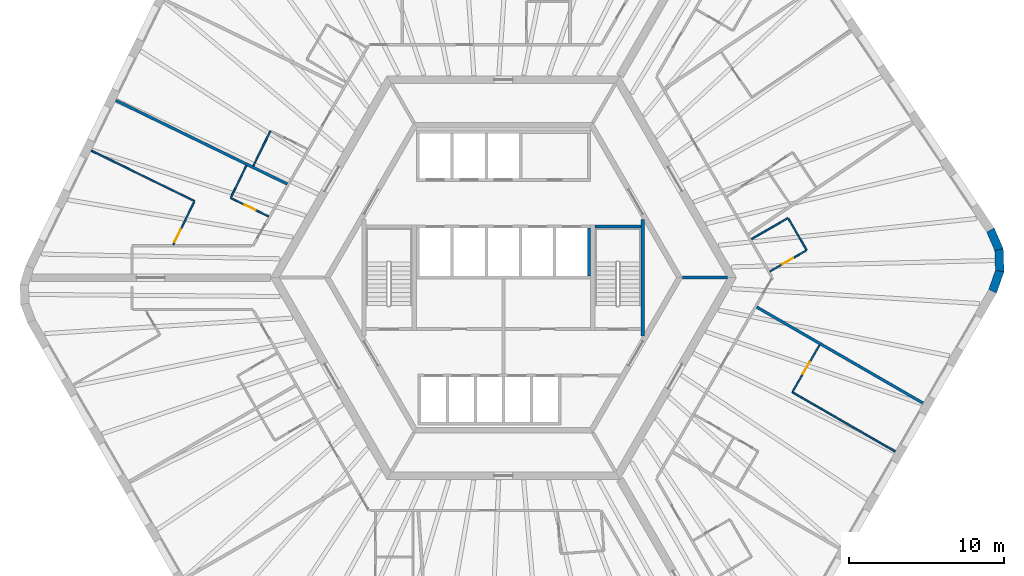
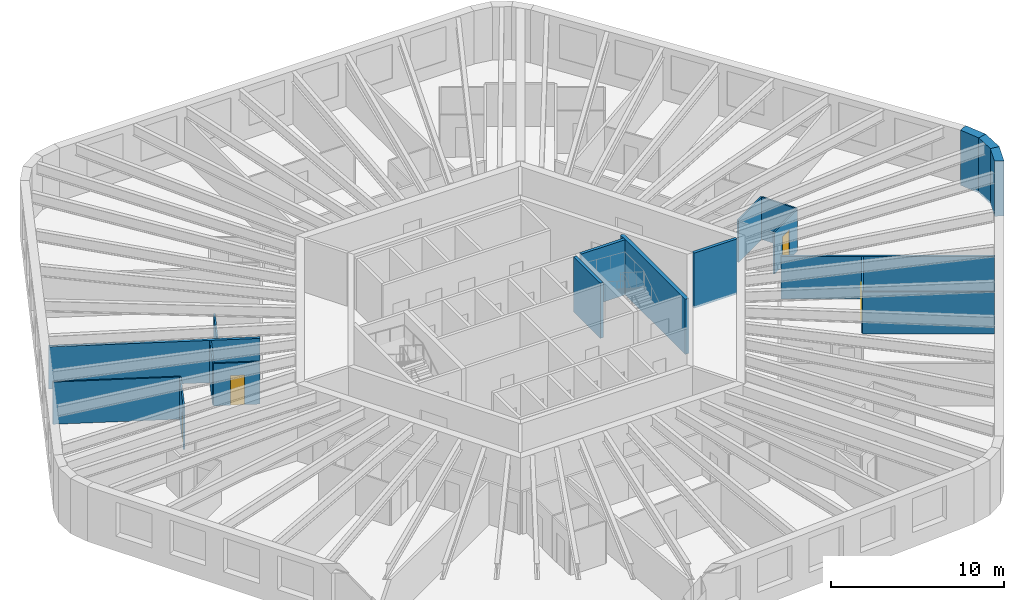
# One storey, part 6 of 10: 19 walls, 4 doors, 4 openings.
"""IFC4 building model written with IfcOpenShell, lengths in metres."""

from ifc_helpers import new_model, si_unit, direction, frame, frame_2d, origin, place, context, subcontext, project, spatial, polyline, rectangle, outline, extrude, material, layer, layer_set, type_object, element, fill, save


model = new_model("IFC4")

# Units and contexts
model_context = context("Model", 3, precision=1e-05, world=origin(), true_north=direction((0.0, 1.0)))
body_context = subcontext(model_context, "Body", "Model", "MODEL_VIEW")
ifc_project = project(units=[si_unit("LENGTHUNIT", "METRE"), si_unit("AREAUNIT", "SQUARE_METRE"), si_unit("VOLUMEUNIT", "CUBIC_METRE"), si_unit("PLANEANGLEUNIT", "RADIAN"), si_unit("MASSUNIT", "GRAM", prefix="KILO")], contexts=[model_context])

# Site, building, storey
site_placement = place(None, origin())
site = spatial("IfcSite", under=ifc_project, at=site_placement, CompositionType="ELEMENT")
building_placement = place(site_placement, origin())
building = spatial("IfcBuilding", under=site, at=building_placement, Name="Tarnside Tower", CompositionType="ELEMENT")
storey_placement = place(building_placement, frame((0.0, 0.0, 191.699951171875)))
storey = spatial("IfcBuildingStorey", under=building, at=storey_placement, Name="L45", CompositionType="ELEMENT", Elevation=191.699951171875)

# Wall
ifc_material_1 = material(Name="Gypsum board partition on steel studs", Category="steel")
ifc_layer_1 = layer(ifc_material_1, 0.10009765625)
ifc_layer_set_1 = layer_set([ifc_layer_1], Name="Bathroom wall 100")
wall_type_1 = type_object("IfcWallType", Name="Bathroom wall 100", PredefinedType="PARTITIONING", material=ifc_layer_set_1)
wall_1_placement = place(storey_placement, frame((-16.107666015625, 7.197509765625, 0.0), z_axis=(0.0, 0.0, 1.0), x_axis=(0.438398718232, 0.898780598284, 0.0)))
element("IfcWall", 1, at=wall_1_placement, inside=storey, type_object=wall_type_1, Name="Bathroom wall 14068", PredefinedType="PARTITIONING", context=body_context, shape_type="SweptSolid", body=[
    extrude(rectangle(XDim=2.510009765625, YDim=0.10009765625, at=frame_2d((1.2548828125, 0.0))), origin(), (0.0, 0.0, 1.0), 2.98779296875),
])

# Wall, opening, door
wall_2_placement = place(storey_placement, frame((-15.127197265625, 3.948974609375, 0.0), z_axis=(0.0, 0.0, 1.0), x_axis=(-0.898788314205, 0.438382899128, 0.0)))
wall_2 = element("IfcWall", 2, at=wall_2_placement, inside=storey, type_object=wall_type_1, Name="Bathroom wall 14073", PredefinedType="PARTITIONING", context=body_context, shape_type="SweptSolid", body=[
    extrude(rectangle(XDim=2.716064453125, YDim=0.10009765625, at=frame_2d((1.35791015625, 0.0))), origin(), (0.0, 0.0, 1.0), 2.98779296875),
])
opening_1_placement = place(wall_2_placement, frame((0.916015625, 0.0, 0.0)))
opening_1 = element("IfcOpeningElement", 3, at=opening_1_placement, cuts=wall_2, Name="Opening D-B1", PredefinedType="OPENING", context=body_context, shape_type="SweptSolid", body=[
    extrude(rectangle(XDim=0.800048828125, YDim=2.10009765625, at=frame_2d((0.39990234375, 1.050048828125))), frame((0.0, 0.06005859375, 0.0), z_axis=(0.0, -1.0, 0.0), x_axis=(1.0, 0.0, 0.0)), (0.0, 0.0, 1.0), 0.1201171875),
])
ifc_material_2 = material(Name="Timber door leaf", Category="wood")
door_type_1 = type_object("IfcDoorType", Name="Bathroom door 800", OperationType="NOTDEFINED", PredefinedType="DOOR", material=ifc_material_2)
door_1_placement = place(opening_1_placement, origin())
door_1 = element("IfcDoor", 4, at=door_1_placement, inside=storey, type_object=door_type_1, Name="Bathroom door 14011", OperationType="SINGLE_SWING_RIGHT", OverallHeight=2.10009765625, OverallWidth=0.800048828125, PredefinedType="DOOR", context=body_context, shape_type="SweptSolid", body=[
    extrude(rectangle(XDim=0.800048828125, YDim=2.10009765625, at=frame_2d((0.39990234375, 1.050048828125))), frame((0.0, 0.02490234375, 0.0), z_axis=(0.0, -1.0, 0.0), x_axis=(1.0, 0.0, 0.0)), (0.0, 0.0, 1.0), 0.050048828125),
])
fill(opening_1, door_1)

# Walls
wall_3_placement = place(storey_placement, frame((-17.54638671875, 5.1845703125, 0.0), z_axis=(0.0, 0.0, 1.0), x_axis=(0.438376807268, 0.898791285477, 0.0)))
element("IfcWall", 5, at=wall_3_placement, inside=storey, type_object=wall_type_1, Name="Bathroom wall 14074", PredefinedType="PARTITIONING", context=body_context, shape_type="SweptSolid", body=[
    extrude(rectangle(XDim=2.260009765625, YDim=0.10009765625, at=frame_2d((1.1298828125, 0.0))), origin(), (0.0, 0.0, 1.0), 2.98779296875),
])
wall_4_placement = place(storey_placement, frame((15.972900390625, 2.484375, 0.0), z_axis=(0.0, 0.0, 1.0), x_axis=(0.866051307416, 0.49995513091, 0.0)))
element("IfcWall", 6, at=wall_4_placement, inside=storey, type_object=wall_type_1, Name="Bathroom wall 14114", PredefinedType="PARTITIONING", context=body_context, shape_type="SweptSolid", body=[
    extrude(rectangle(XDim=2.724853515625, YDim=0.10009765625, at=frame_2d((1.3623046875, 0.0))), origin(), (0.0, 0.0, 1.0), 2.98779296875),
])
wall_5_placement = place(storey_placement, frame((18.357666015625, 3.803466796875, 0.0), z_axis=(0.0, 0.0, 1.0), x_axis=(0.500016218704, -0.866016039709, 0.0)))
element("IfcWall", 7, at=wall_5_placement, inside=storey, type_object=wall_type_1, Name="Bathroom wall 14115", PredefinedType="PARTITIONING", context=body_context, shape_type="SweptSolid", body=[
    extrude(rectangle(XDim=2.35009765625, YDim=0.10009765625, at=frame_2d((1.175048828125, 0.0))), origin(), (0.0, 0.0, 1.0), 2.98779296875),
])

# Wall, opening, door
wall_6_placement = place(storey_placement, frame((19.489501953125, 1.743408203125, 0.0), z_axis=(0.0, 0.0, 1.0), x_axis=(-0.866004723184, -0.50003581814, 0.0)))
wall_6 = element("IfcWall", 8, at=wall_6_placement, inside=storey, type_object=wall_type_1, Name="Bathroom wall 14116", PredefinedType="PARTITIONING", context=body_context, shape_type="SweptSolid", body=[
    extrude(rectangle(XDim=2.675048828125, YDim=0.10009765625, at=frame_2d((1.33740234375, 0.0))), origin(), (0.0, 0.0, 1.0), 2.98779296875),
])
opening_2_placement = place(wall_6_placement, frame((0.949951171875, 0.0, 0.0)))
opening_2 = element("IfcOpeningElement", 9, at=opening_2_placement, cuts=wall_6, Name="Opening D-B1", PredefinedType="OPENING", context=body_context, shape_type="SweptSolid", body=[
    extrude(rectangle(XDim=0.800048828125, YDim=2.10009765625, at=frame_2d((0.39990234375, 1.050048828125))), frame((0.0, 0.06005859375, 0.0), z_axis=(0.0, -1.0, 0.0), x_axis=(1.0, 0.0, 0.0)), (0.0, 0.0, 1.0), 0.1201171875),
])
door_2_placement = place(opening_2_placement, origin())
door_2 = element("IfcDoor", 10, at=door_2_placement, inside=storey, type_object=door_type_1, Name="Bathroom door 14032", OperationType="SINGLE_SWING_RIGHT", OverallHeight=2.10009765625, OverallWidth=0.800048828125, PredefinedType="DOOR", context=body_context, shape_type="SweptSolid", body=[
    extrude(rectangle(XDim=0.800048828125, YDim=2.10009765625, at=frame_2d((0.39990234375, 1.050048828125))), frame((0.0, 0.02490234375, 0.0), z_axis=(0.0, -1.0, 0.0), x_axis=(1.0, 0.0, 0.0)), (0.0, 0.0, 1.0), 0.050048828125),
])
fill(opening_2, door_2)

# Walls
ifc_layer_2 = layer(ifc_material_1, 0.179931640625)
ifc_layer_set_2 = layer_set([ifc_layer_2], Name="Demising wall 180 EI 60")
wall_type_2 = type_object("IfcWallType", Name="Demising wall 180 EI 60", PredefinedType="PARTITIONING", material=ifc_layer_set_2)
wall_7_placement = place(storey_placement, frame((-24.970947265625, 11.420166015625, 0.0), z_axis=(0.0, 0.0, 1.0), x_axis=(0.898797462081, -0.438364143329, 0.0)))
element("IfcWall", 11, at=wall_7_placement, inside=storey, type_object=wall_type_2, Name="Demising wall 14070", PredefinedType="PARTITIONING", context=body_context, shape_type="SweptSolid", body=[
    extrude(rectangle(XDim=12.29052734375, YDim=0.179931640625, at=frame_2d((6.145263671875, 0.0))), origin(), (0.0, 0.0, 1.0), 2.98779296875),
])
wall_8_placement = place(storey_placement, frame((27.03125, -8.080322265625, 0.0), z_axis=(0.0, 0.0, 1.0), x_axis=(-0.866024931941, 0.500000817256, 0.0)))
element("IfcWall", 12, at=wall_8_placement, inside=storey, type_object=wall_type_2, Name="Demising wall 14111", PredefinedType="PARTITIONING", context=body_context, shape_type="SweptSolid", body=[
    extrude(rectangle(XDim=12.375, YDim=0.179931640625, at=frame_2d((6.1875, 0.0))), origin(), (0.0, 0.0, 1.0), 2.98779296875),
])
ifc_material_3 = material(Name="Concrete C40/50", Category="concrete")
ifc_layer_3 = layer(ifc_material_3, 0.199951171875)
ifc_layer_set_3 = layer_set([ifc_layer_3], Name="Lift shaft wall 200 C40/50")
wall_type_3 = type_object("IfcWallType", Name="Lift shaft wall 200 C40/50", PredefinedType="SHEAR", material=ifc_layer_set_3)
wall_9_placement = place(storey_placement, frame((5.5, 0.10009765625, -0.25), z_axis=(0.0, 0.0, 1.0), x_axis=(0.0, 1.0, 0.0)))
element("IfcWall", 13, at=wall_9_placement, inside=storey, type_object=wall_type_3, Name="L45 lift shaft partition R26", PredefinedType="SHEAR", context=body_context, shape_type="SweptSolid", body=[
    extrude(rectangle(XDim=3.099853515625, YDim=0.199951171875, at=frame_2d((1.5498046875, 0.0))), origin(), (0.0, 0.0, 1.0), 3.900146484375),
])
wall_10_placement = place(storey_placement, frame((11.547119140625, 0.0, -0.14990234375), z_axis=(0.0, 0.0, 1.0), x_axis=(1.0, 0.0, 0.0)))
element("IfcWall", 14, at=wall_10_placement, inside=storey, type_object=wall_type_3, Name="L45 core partition AR0", PredefinedType="SHEAR", context=body_context, shape_type="SweptSolid", body=[
    extrude(rectangle(XDim=2.88671875, YDim=0.199951171875, at=frame_2d((1.443359375, 0.0))), origin(), (0.0, 0.0, 1.0), 3.89990234375),
])
wall_11_placement = place(storey_placement, frame((5.89990234375, 3.300048828125, -0.25), z_axis=(0.0, 0.0, 1.0), x_axis=(1.0, 0.0, 0.0)))
element("IfcWall", 15, at=wall_11_placement, inside=storey, type_object=wall_type_3, Name="L45 stair 1 enclosure cap wall n", PredefinedType="SHEAR", context=body_context, shape_type="SweptSolid", body=[
    extrude(rectangle(XDim=2.9501953125, YDim=0.199951171875, at=frame_2d((1.47509765625, 0.0))), origin(), (0.0, 0.0, 1.0), 3.900146484375),
])
ifc_layer_4 = layer(ifc_material_1, 0.10009765625)
ifc_layer_set_4 = layer_set([ifc_layer_4], Name="Partition 100")
wall_type_4 = type_object("IfcWallType", Name="Partition 100", PredefinedType="PARTITIONING", material=ifc_layer_set_4)
wall_12_placement = place(storey_placement, frame((-26.549072265625, 8.1845703125, 0.0), z_axis=(0.0, 0.0, 1.0), x_axis=(0.898794104644, -0.438371027163, 0.0)))
element("IfcWall", 16, at=wall_12_placement, inside=storey, type_object=wall_type_4, Name="Partition wall 14075", PredefinedType="PARTITIONING", context=body_context, shape_type="SweptSolid", body=[
    extrude(rectangle(XDim=7.406494140625, YDim=0.10009765625, at=frame_2d((3.703125, 0.0))), origin(), (0.0, 0.0, 1.0), 2.98779296875),
])

# Wall, opening, door
wall_13_placement = place(storey_placement, frame((-19.913818359375, 4.892822265625, 0.0), z_axis=(0.0, 0.0, 1.0), x_axis=(-0.438408012527, -0.898776064741, 0.0)))
wall_13 = element("IfcWall", 17, at=wall_13_placement, inside=storey, type_object=wall_type_4, Name="Partition wall 14076", PredefinedType="PARTITIONING", context=body_context, shape_type="SweptSolid", body=[
    extrude(rectangle(XDim=3.07958984375, YDim=0.10009765625, at=frame_2d((1.539794921875, 0.0))), origin(), (0.0, 0.0, 1.0), 2.98779296875),
])
opening_3_placement = place(wall_13_placement, frame((1.9794921875, 0.0, 0.0)))
opening_3 = element("IfcOpeningElement", 18, at=opening_3_placement, cuts=wall_13, Name="Opening D-I1", PredefinedType="OPENING", context=body_context, shape_type="SweptSolid", body=[
    extrude(rectangle(XDim=0.89990234375, YDim=2.10009765625, at=frame_2d((0.449951171875, 1.050048828125))), frame((0.0, 0.06005859375, 0.0), z_axis=(0.0, -1.0, 0.0), x_axis=(1.0, 0.0, 0.0)), (0.0, 0.0, 1.0), 0.1201171875),
])
door_type_2 = type_object("IfcDoorType", Name="Internal door 900", OperationType="NOTDEFINED", PredefinedType="DOOR", material=ifc_material_2)
door_3_placement = place(opening_3_placement, origin())
door_3 = element("IfcDoor", 19, at=door_3_placement, inside=storey, type_object=door_type_2, Name="Internal door 14012", OperationType="SINGLE_SWING_LEFT", OverallHeight=2.10009765625, OverallWidth=0.89990234375, PredefinedType="DOOR", context=body_context, shape_type="SweptSolid", body=[
    extrude(rectangle(XDim=0.89990234375, YDim=2.10009765625, at=frame_2d((0.449951171875, 1.050048828125))), frame((0.0, 0.02490234375, 0.0), z_axis=(0.0, -1.0, 0.0), x_axis=(1.0, 0.0, 0.0)), (0.0, 0.0, 1.0), 0.050048828125),
])
fill(opening_3, door_3)

# Wall
wall_14_placement = place(storey_placement, frame((25.2314453125, -11.197998046875, 0.0), z_axis=(0.0, 0.0, 1.0), x_axis=(-0.866033062874, 0.499986733834, 0.0)))
element("IfcWall", 20, at=wall_14_placement, inside=storey, type_object=wall_type_4, Name="Partition wall 14109", PredefinedType="PARTITIONING", context=body_context, shape_type="SweptSolid", body=[
    extrude(rectangle(XDim=7.650146484375, YDim=0.10009765625, at=frame_2d((3.8251953125, 0.0))), origin(), (0.0, 0.0, 1.0), 2.98779296875),
])

# Wall, opening, door
wall_15_placement = place(storey_placement, frame((18.63134765625, -7.329833984375, 0.0), z_axis=(0.0, 0.0, 1.0), x_axis=(0.499978980201, 0.866037539231, 0.0)))
wall_15 = element("IfcWall", 21, at=wall_15_placement, inside=storey, type_object=wall_type_4, Name="Partition wall 14110", PredefinedType="PARTITIONING", context=body_context, shape_type="SweptSolid", body=[
    extrude(rectangle(XDim=3.460205078125, YDim=0.10009765625, at=frame_2d((1.72998046875, 0.0))), origin(), (0.0, 0.0, 1.0), 2.98779296875),
])
opening_4_placement = place(wall_15_placement, frame((1.300048828125, 0.0, 0.0)))
opening_4 = element("IfcOpeningElement", 22, at=opening_4_placement, cuts=wall_15, Name="Opening D-I1", PredefinedType="OPENING", context=body_context, shape_type="SweptSolid", body=[
    extrude(rectangle(XDim=0.89990234375, YDim=2.10009765625, at=frame_2d((0.449951171875, 1.050048828125))), frame((0.0, 0.06005859375, 0.0), z_axis=(0.0, -1.0, 0.0), x_axis=(1.0, 0.0, 0.0)), (0.0, 0.0, 1.0), 0.1201171875),
])
door_4_placement = place(opening_4_placement, origin())
door_4 = element("IfcDoor", 23, at=door_4_placement, inside=storey, type_object=door_type_2, Name="Internal door 14030", OperationType="SINGLE_SWING_RIGHT", OverallHeight=2.10009765625, OverallWidth=0.89990234375, PredefinedType="DOOR", context=body_context, shape_type="SweptSolid", body=[
    extrude(rectangle(XDim=0.89990234375, YDim=2.10009765625, at=frame_2d((0.449951171875, 1.050048828125))), frame((0.0, 0.02490234375, 0.0), z_axis=(0.0, -1.0, 0.0), x_axis=(1.0, 0.0, 0.0)), (0.0, 0.0, 1.0), 0.050048828125),
])
fill(opening_4, door_4)

# Walls
ifc_layer_5 = layer(ifc_material_3, 0.25)
ifc_layer_set_5 = layer_set([ifc_layer_5], Name="Stair enclosure wall 250 C40/50")
wall_type_5 = type_object("IfcWallType", Name="Stair enclosure wall 250 C40/50", PredefinedType="SHEAR", material=ifc_layer_set_5)
wall_16_placement = place(storey_placement, frame((8.97509765625, -3.7548828125, -0.25), z_axis=(0.0, 0.0, 1.0), x_axis=(0.0, 1.0, 0.0)))
element("IfcWall", 24, at=wall_16_placement, inside=storey, type_object=wall_type_5, Name="L45 stair 1 enclosure wall outer", PredefinedType="SHEAR", context=body_context, shape_type="SweptSolid", body=[
    extrude(rectangle(XDim=7.509765625, YDim=0.25, at=frame_2d((3.7548828125, 0.0))), origin(), (0.0, 0.0, 1.0), 3.900146484375),
])
ifc_material_4 = material(Name="Facing brick", Category="masonry")
ifc_layer_6 = layer(ifc_material_4, 0.10205078125)
ifc_material_5 = material(Name="Concrete C60/75 precast", Category="concrete")
ifc_layer_7 = layer(ifc_material_5, 0.347900390625)
ifc_material_6 = material(Name="Mineral wool insulation")
ifc_layer_8 = layer(ifc_material_6, 0.10009765625)
ifc_layer_set_6 = layer_set([ifc_layer_6, ifc_layer_7, ifc_layer_8], Name="Tube wall 550 brick faced")
wall_type_6 = type_object("IfcWallType", Name="Tube wall 550 brick faced", PredefinedType="SOLIDWALL", material=ifc_layer_set_6)
wall_17_placement = place(storey_placement, frame((31.509033203125, -0.874755859375, -0.14990234375), z_axis=(0.0, 0.0, 1.0), x_axis=(0.33111537203, 0.943590276765, 0.0)))
element("IfcWall", 25, at=wall_17_placement, inside=storey, type_object=wall_type_6, Name="Tube wall L45 F5 chord 17", PredefinedType="SOLIDWALL", context=body_context, shape_type="SweptSolid", body=[
    extrude(outline(polyline([(-0.025634765625, -0.27490234375), (1.4306640625, -0.27490234375), (1.3271484375, 0.27490234375), (0.025634765625, 0.27490234375), (-0.025634765625, -0.27490234375)])), origin(), (0.0, 0.0, 1.0), 3.89990234375),
])
wall_18_placement = place(storey_placement, frame((31.965576171875, 0.42626953125, -0.14990234375), z_axis=(0.0, 0.0, 1.0), x_axis=(-0.034876908462, 0.999391615562, 0.0)))
element("IfcWall", 26, at=wall_18_placement, inside=storey, type_object=wall_type_6, Name="Tube wall L45 F5 chord 18", PredefinedType="SOLIDWALL", context=body_context, shape_type="SweptSolid", body=[
    extrude(outline(polyline([(-0.0517578125, -0.27490234375), (1.4306640625, -0.27490234375), (1.3271484375, 0.27490234375), (0.0517578125, 0.27490234375), (-0.0517578125, -0.27490234375)])), origin(), (0.0, 0.0, 1.0), 3.89990234375),
])
wall_19_placement = place(storey_placement, frame((31.91748046875, 1.804443359375, -0.14990234375), z_axis=(0.0, 0.0, 1.0), x_axis=(-0.396225741392, 0.918153125496, 0.0)))
element("IfcWall", 27, at=wall_19_placement, inside=storey, type_object=wall_type_6, Name="Tube wall L45 F5 chord 19", PredefinedType="SOLIDWALL", context=body_context, shape_type="SweptSolid", body=[
    extrude(outline(polyline([(-0.0517578125, -0.27490234375), (1.404541015625, -0.27490234375), (1.353271484375, 0.27490234375), (0.0517578125, 0.27490234375), (-0.0517578125, -0.27490234375)])), origin(), (0.0, 0.0, 1.0), 3.89990234375),
])

save(model, "model.ifc")
